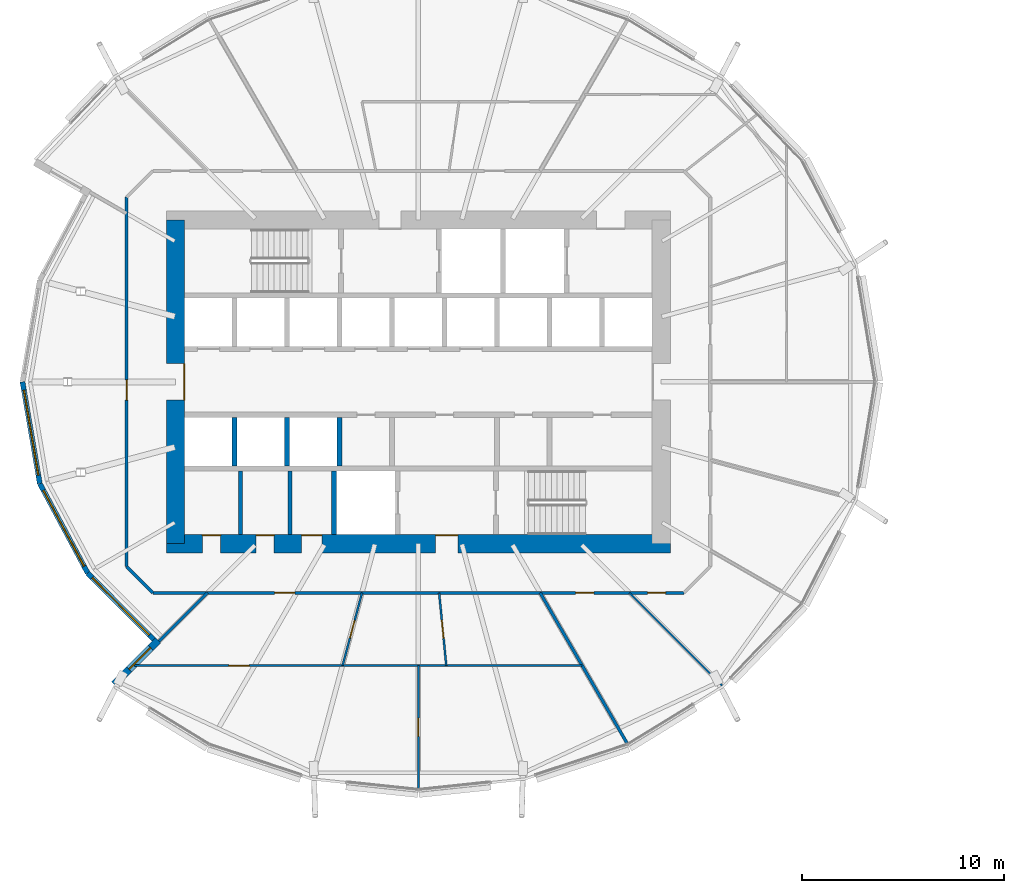
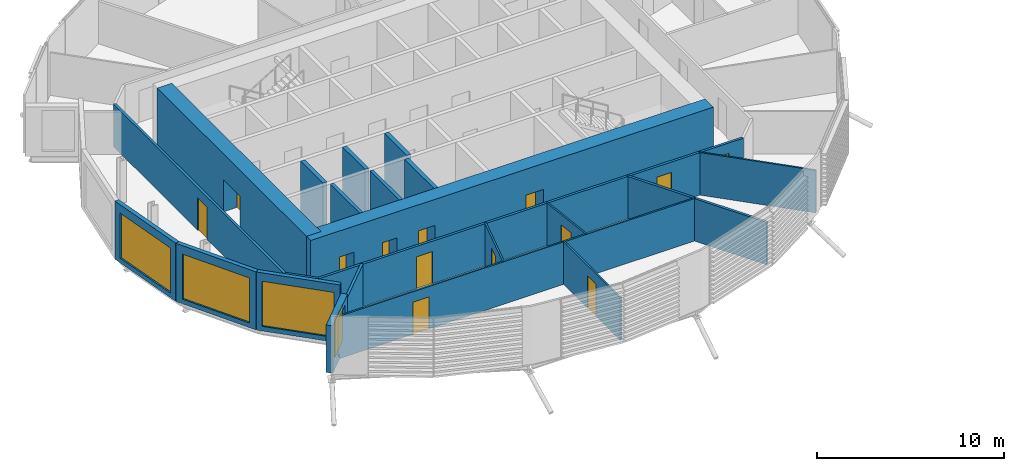
# One storey, part 20 of 37: 23 walls, 13 doors, 4 windows, 17 openings.
"""IFC4 building model written with IfcOpenShell, lengths in metres."""

from ifc_helpers import new_model, si_unit, direction, frame, frame_2d, origin, place, context, subcontext, project, spatial, rectangle, extrude, material, layer, layer_set, type_object, element, fill, save


model = new_model("IFC4")

# Units and contexts
model_context = context("Model", 3, precision=1e-05, world=origin(), true_north=direction((0.0, 1.0)))
body_context = subcontext(model_context, "Body", "Model", "MODEL_VIEW")
ifc_project = project(units=[si_unit("LENGTHUNIT", "METRE"), si_unit("AREAUNIT", "SQUARE_METRE"), si_unit("VOLUMEUNIT", "CUBIC_METRE"), si_unit("PLANEANGLEUNIT", "RADIAN"), si_unit("MASSUNIT", "GRAM", prefix="KILO")], contexts=[model_context])

# Site, building, storey
site_placement = place(None, origin())
site = spatial("IfcSite", under=ifc_project, at=site_placement, CompositionType="ELEMENT")
building_placement = place(site_placement, origin())
building = spatial("IfcBuilding", under=site, at=building_placement, Name="Rimbun Link Towers", CompositionType="ELEMENT")
storey_placement = place(building_placement, frame((0.0, 0.0, 45.199951171875)))
storey = spatial("IfcBuildingStorey", under=building, at=storey_placement, Name="L10", CompositionType="ELEMENT", Elevation=45.199951171875)

# Wall, opening, window
ifc_material_1 = material(Name="Dark enamelled glass spandrel on insulated aluminium backpan", Category="aluminium")
ifc_layer_1 = layer(ifc_material_1, 0.25)
ifc_layer_set_1 = layer_set([ifc_layer_1], Name="CS dark enamelled spandrel wall 250")
wall_type_1 = type_object("IfcWallType", Name="CS dark enamelled spandrel wall 250", PredefinedType="STANDARD", material=ifc_layer_set_1)
wall_1_placement = place(storey_placement, frame((-50.4658203125, -5.023681640625, 0.0), z_axis=(0.0, 0.0, 1.0), x_axis=(-0.167358464332, 0.985896112385, 0.0)))
wall_1 = element("IfcWall", 1, at=wall_1_placement, inside=storey, type_object=wall_type_1, Name="Crease spandrel wall", PredefinedType="STANDARD", context=body_context, shape_type="SweptSolid", body=[
    extrude(rectangle(XDim=5.095458984375, YDim=0.25, at=frame_2d((2.5478515625, 0.0))), origin(), (0.0, 0.0, 1.0), 3.800048828125),
])
opening_1_placement = place(wall_1_placement, frame((0.4228515625, 0.0, 0.300048828125)))
opening_1 = element("IfcOpeningElement", 2, at=opening_1_placement, cuts=wall_1, Name="Opening WR42H295", PredefinedType="OPENING", context=body_context, shape_type="SweptSolid", body=[
    extrude(rectangle(XDim=4.25, YDim=2.949951171875, at=frame_2d((2.125, 1.47509765625))), frame((0.0, 0.135009765625, 0.0), z_axis=(0.0, -1.0, 0.0), x_axis=(1.0, 0.0, 0.0)), (0.0, 0.0, 1.0), 0.27001953125),
])
ifc_material_2 = material(Name="Aluminium framed fixed window, dark tinted low-e glass", Category="aluminium")
window_type_1 = type_object("IfcWindowType", Name="WR ribbon window 4250X2950", PartitioningType="SINGLE_PANEL", PredefinedType="WINDOW", material=ifc_material_2)
window_1_placement = place(opening_1_placement, origin())
window_1 = element("IfcWindow", 3, at=window_1_placement, inside=storey, type_object=window_type_1, Name="Crease ribbon window", OverallHeight=2.949951171875, OverallWidth=4.25, PartitioningType="SINGLE_PANEL", PredefinedType="WINDOW", context=body_context, shape_type="SweptSolid", body=[
    extrude(rectangle(XDim=4.25, YDim=2.949951171875, at=frame_2d((2.125, 1.47509765625))), frame((0.0, 0.030029296875, 0.0), z_axis=(0.0, -1.0, 0.0), x_axis=(1.0, 0.0, 0.0)), (0.0, 0.0, 1.0), 0.06005859375),
])
fill(opening_1, window_1)

wall_2_placement = place(storey_placement, frame((-48.095947265625, -9.453857421875, 0.0), z_axis=(0.0, 0.0, 1.0), x_axis=(-0.47169003293, 0.8817644316, 0.0)))
wall_2 = element("IfcWall", 4, at=wall_2_placement, inside=storey, type_object=wall_type_1, Name="Crease spandrel wall", PredefinedType="STANDARD", context=body_context, shape_type="SweptSolid", body=[
    extrude(rectangle(XDim=5.024169921875, YDim=0.25, at=frame_2d((2.51220703125, 0.0))), origin(), (0.0, 0.0, 1.0), 3.800048828125),
])
opening_2_placement = place(wall_2_placement, frame((0.386962890625, 0.0, 0.300048828125)))
opening_2 = element("IfcOpeningElement", 5, at=opening_2_placement, cuts=wall_2, Name="Opening WR42H295", PredefinedType="OPENING", context=body_context, shape_type="SweptSolid", body=[
    extrude(rectangle(XDim=4.25, YDim=2.949951171875, at=frame_2d((2.125, 1.47509765625))), frame((0.0, 0.135009765625, 0.0), z_axis=(0.0, -1.0, 0.0), x_axis=(1.0, 0.0, 0.0)), (0.0, 0.0, 1.0), 0.27001953125),
])
window_2_placement = place(opening_2_placement, origin())
window_2 = element("IfcWindow", 6, at=window_2_placement, inside=storey, type_object=window_type_1, Name="Crease ribbon window", OverallHeight=2.949951171875, OverallWidth=4.25, PartitioningType="SINGLE_PANEL", PredefinedType="WINDOW", context=body_context, shape_type="SweptSolid", body=[
    extrude(rectangle(XDim=4.25, YDim=2.949951171875, at=frame_2d((2.125, 1.47509765625))), frame((0.0, 0.030029296875, 0.0), z_axis=(0.0, -1.0, 0.0), x_axis=(1.0, 0.0, 0.0)), (0.0, 0.0, 1.0), 0.06005859375),
])
fill(opening_2, window_2)

wall_3_placement = place(storey_placement, frame((-44.8359375, -12.732421875, 0.0), z_axis=(0.0, 0.0, 1.0), x_axis=(-0.70509736634, 0.709110501953, 0.0)))
wall_3 = element("IfcWall", 7, at=wall_3_placement, inside=storey, type_object=wall_type_1, Name="Crease spandrel wall", PredefinedType="STANDARD", context=body_context, shape_type="SweptSolid", body=[
    extrude(rectangle(XDim=4.62353515625, YDim=0.25, at=frame_2d((2.311767578125, 0.0))), origin(), (0.0, 0.0, 1.0), 3.800048828125),
])
opening_3_placement = place(wall_3_placement, frame((0.311767578125, 0.0, 0.300048828125)))
opening_3 = element("IfcOpeningElement", 8, at=opening_3_placement, cuts=wall_3, Name="Opening WR40H295", PredefinedType="OPENING", context=body_context, shape_type="SweptSolid", body=[
    extrude(rectangle(XDim=4.0, YDim=2.949951171875, at=frame_2d((2.0, 1.47509765625))), frame((0.0, 0.135009765625, 0.0), z_axis=(0.0, -1.0, 0.0), x_axis=(1.0, 0.0, 0.0)), (0.0, 0.0, 1.0), 0.27001953125),
])
ifc_material_3 = material(Name="Aluminium framed fixed window, dark tinted low-e glass", Category="aluminium")
window_type_2 = type_object("IfcWindowType", Name="WR ribbon window 4000X2950", PartitioningType="SINGLE_PANEL", PredefinedType="WINDOW", material=ifc_material_3)
window_3_placement = place(opening_3_placement, origin())
window_3 = element("IfcWindow", 9, at=window_3_placement, inside=storey, type_object=window_type_2, Name="Crease ribbon window", OverallHeight=2.949951171875, OverallWidth=4.0, PartitioningType="SINGLE_PANEL", PredefinedType="WINDOW", context=body_context, shape_type="SweptSolid", body=[
    extrude(rectangle(XDim=4.0, YDim=2.949951171875, at=frame_2d((2.0, 1.47509765625))), frame((0.0, 0.030029296875, 0.0), z_axis=(0.0, -1.0, 0.0), x_axis=(1.0, 0.0, 0.0)), (0.0, 0.0, 1.0), 0.06005859375),
])
fill(opening_3, window_3)

ifc_material_4 = material(Name="Dark enamelled glass spandrel on insulated aluminium backpan", Category="aluminium")
ifc_layer_2 = layer(ifc_material_4, 0.3701171875)
ifc_layer_set_2 = layer_set([ifc_layer_2], Name="CS dark enamelled spandrel wall 370")
wall_type_2 = type_object("IfcWallType", Name="CS dark enamelled spandrel wall 370", PredefinedType="STANDARD", material=ifc_layer_set_2)
wall_4_placement = place(storey_placement, frame((-46.794921875, -14.953125, 0.0), z_axis=(0.0, 0.0, 1.0), x_axis=(0.707067146267, 0.707146413884, 0.0)))
wall_4 = element("IfcWall", 10, at=wall_4_placement, inside=storey, type_object=wall_type_2, Name="Crease spandrel wall", PredefinedType="STANDARD", context=body_context, shape_type="SweptSolid", body=[
    extrude(rectangle(XDim=3.079833984375, YDim=0.3701171875, at=frame_2d((1.5400390625, 0.0))), origin(), (0.0, 0.0, 1.0), 3.09716796875),
])
opening_4_placement = place(wall_4_placement, frame((1.051513671875, 0.0, 0.300048828125)))
opening_4 = element("IfcOpeningElement", 11, at=opening_4_placement, cuts=wall_4, Name="Opening WR15H245", PredefinedType="OPENING", context=body_context, shape_type="SweptSolid", body=[
    extrude(rectangle(XDim=1.5, YDim=2.449951171875, at=frame_2d((0.75, 1.22509765625))), frame((0.0, 0.195068359375, 0.0), z_axis=(0.0, -1.0, 0.0), x_axis=(1.0, 0.0, 0.0)), (0.0, 0.0, 1.0), 0.39013671875),
])
ifc_material_5 = material(Name="Aluminium framed fixed window, dark tinted low-e glass", Category="aluminium")
window_type_3 = type_object("IfcWindowType", Name="WR ribbon window 1500X2450", PartitioningType="SINGLE_PANEL", PredefinedType="WINDOW", material=ifc_material_5)
window_4_placement = place(opening_4_placement, origin())
window_4 = element("IfcWindow", 12, at=window_4_placement, inside=storey, type_object=window_type_3, Name="Crease ribbon window", OverallHeight=2.449951171875, OverallWidth=1.5, PartitioningType="SINGLE_PANEL", PredefinedType="WINDOW", context=body_context, shape_type="SweptSolid", body=[
    extrude(rectangle(XDim=1.5, YDim=2.449951171875, at=frame_2d((0.75, 1.22509765625))), frame((0.0, 0.030029296875, 0.0), z_axis=(0.0, -1.0, 0.0), x_axis=(1.0, 0.0, 0.0)), (0.0, 0.0, 1.0), 0.06005859375),
])
fill(opening_4, window_4)

# Walls
ifc_material_6 = material(Name="Masonry blockwork", Category="masonry")
ifc_layer_3 = layer(ifc_material_6, 0.199951171875)
ifc_layer_set_3 = layer_set([ifc_layer_3], Name="Core partition 200")
wall_type_3 = type_object("IfcWallType", Name="Core partition 200", PredefinedType="PARTITIONING", material=ifc_layer_set_3)
for number, where, z_axis, x_axis, name in (
    (13, (-40.550048828125, -4.39990234375, 0.0), (0.0, 0.0, 1.0), (0.0, -1.0, 0.0), "L10 T1 core wall C1"),
    (14, (-38.10009765625, -4.39990234375, 0.0), (0.0, 0.0, 1.0), (0.0, -1.0, 0.0), "L10 T1 core wall C2"),
):
    element("IfcWall", number, at=place(storey_placement, frame(where, z_axis=z_axis, x_axis=x_axis)), inside=storey, type_object=wall_type_3, Name=name, PredefinedType="PARTITIONING", context=body_context, shape_type="SweptSolid", body=[
        extrude(rectangle(XDim=3.150146484375, YDim=0.199951171875, at=frame_2d((1.5751953125, 0.0))), origin(), (0.0, 0.0, 1.0), 3.800048828125),
    ])

# Wall, openings, doors
ifc_material_7 = material(Name="Concrete C60/75", Category="concrete")
ifc_layer_4 = layer(ifc_material_7, 0.89990234375)
ifc_layer_set_4 = layer_set([ifc_layer_4], Name="Core shear wall 900")
wall_type_4 = type_object("IfcWallType", Name="Core shear wall 900", PredefinedType="SHEAR", material=ifc_layer_set_4)
wall_5_placement = place(storey_placement, frame((-44.199951171875, -8.0, 0.0), z_axis=(0.0, 0.0, 1.0), x_axis=(1.0, 0.0, 0.0)))
wall_5 = element("IfcWall", 15, at=wall_5_placement, inside=storey, type_object=wall_type_4, Name="L10 T1 core wall S", PredefinedType="SHEAR", context=body_context, shape_type="SweptSolid", body=[
    extrude(rectangle(XDim=24.89990234375, YDim=0.89990234375, at=frame_2d((12.449951171875, 0.0))), origin(), (0.0, 0.0, 1.0), 3.800048828125),
])
opening_5_placement = place(wall_5_placement, frame((13.300048828125, 0.0, 0.0)))
opening_5 = element("IfcOpeningElement", 16, at=opening_5_placement, cuts=wall_5, Name="Opening C1DCF01S", PredefinedType="OPENING", context=body_context, shape_type="SweptSolid", body=[
    extrude(rectangle(XDim=1.10009765625, YDim=2.10009765625, at=frame_2d((0.550048828125, 1.050048828125))), frame((0.0, 0.4599609375, 0.0), z_axis=(0.0, -1.0, 0.0), x_axis=(1.0, 0.0, 0.0)), (0.0, 0.0, 1.0), 0.919921875),
])
opening_6_placement = place(wall_5_placement, frame((1.77490234375, 0.0, 0.0)))
opening_6 = element("IfcOpeningElement", 17, at=opening_6_placement, cuts=wall_5, Name="Opening C1DWC02S", PredefinedType="OPENING", context=body_context, shape_type="SweptSolid", body=[
    extrude(rectangle(XDim=0.89990234375, YDim=2.10009765625, at=frame_2d((0.449951171875, 1.050048828125))), frame((0.0, 0.4599609375, 0.0), z_axis=(0.0, -1.0, 0.0), x_axis=(1.0, 0.0, 0.0)), (0.0, 0.0, 1.0), 0.919921875),
])
opening_7_placement = place(wall_5_placement, frame((4.425048828125, 0.0, 0.0)))
opening_7 = element("IfcOpeningElement", 18, at=opening_7_placement, cuts=wall_5, Name="Opening C1DWC03S", PredefinedType="OPENING", context=body_context, shape_type="SweptSolid", body=[
    extrude(rectangle(XDim=0.89990234375, YDim=2.10009765625, at=frame_2d((0.449951171875, 1.050048828125))), frame((0.0, 0.4599609375, 0.0), z_axis=(0.0, -1.0, 0.0), x_axis=(1.0, 0.0, 0.0)), (0.0, 0.0, 1.0), 0.919921875),
])
opening_8_placement = place(wall_5_placement, frame((6.675048828125, 0.0, 0.0)))
opening_8 = element("IfcOpeningElement", 19, at=opening_8_placement, cuts=wall_5, Name="Opening C1DAW04S", PredefinedType="OPENING", context=body_context, shape_type="SweptSolid", body=[
    extrude(rectangle(XDim=1.0, YDim=2.10009765625, at=frame_2d((0.5, 1.050048828125))), frame((0.0, 0.4599609375, 0.0), z_axis=(0.0, -1.0, 0.0), x_axis=(1.0, 0.0, 0.0)), (0.0, 0.0, 1.0), 0.919921875),
])
ifc_material_8 = material(Name="Timber", Category="wood")
door_type_1 = type_object("IfcDoorType", Name="Accessible WC door", OperationType="SINGLE_SWING_LEFT", PredefinedType="DOOR", material=ifc_material_8)
door_1_placement = place(opening_8_placement, origin())
door_1 = element("IfcDoor", 20, at=door_1_placement, inside=storey, type_object=door_type_1, Name="L10 T1 accessible wc door", OperationType="SINGLE_SWING_RIGHT", OverallHeight=2.10009765625, OverallWidth=1.0, PredefinedType="DOOR", context=body_context, shape_type="SweptSolid", body=[
    extrude(rectangle(XDim=1.0, YDim=2.10009765625, at=frame_2d((0.5, 1.050048828125))), frame((0.0, 0.4501953125, 0.0), z_axis=(0.0, -1.0, 0.0), x_axis=(1.0, 0.0, 0.0)), (0.0, 0.0, 1.0), 0.050048828125),
])
fill(opening_8, door_1)
ifc_material_9 = material(Name="Steel fire door set", Category="steel")
door_type_2 = type_object("IfcDoorType", Name="Core fire door single", OperationType="SINGLE_SWING_LEFT", PredefinedType="DOOR", material=ifc_material_9)
door_2_placement = place(opening_5_placement, origin())
door_2 = element("IfcDoor", 21, at=door_2_placement, inside=storey, type_object=door_type_2, Name="L10 T1 firefighting lobby s door", OperationType="SINGLE_SWING_RIGHT", OverallHeight=2.10009765625, OverallWidth=1.10009765625, PredefinedType="DOOR", context=body_context, shape_type="SweptSolid", body=[
    extrude(rectangle(XDim=1.10009765625, YDim=2.10009765625, at=frame_2d((0.550048828125, 1.050048828125))), frame((0.0, 0.4501953125, 0.0), z_axis=(0.0, -1.0, 0.0), x_axis=(1.0, 0.0, 0.0)), (0.0, 0.0, 1.0), 0.050048828125),
])
fill(opening_5, door_2)
ifc_material_10 = material(Name="Timber", Category="wood")
door_type_3 = type_object("IfcDoorType", Name="WC door", OperationType="SINGLE_SWING_LEFT", PredefinedType="DOOR", material=ifc_material_10)
door_3_placement = place(opening_6_placement, origin())
door_3 = element("IfcDoor", 22, at=door_3_placement, inside=storey, type_object=door_type_3, Name="L10 T1 male wc door", OperationType="SINGLE_SWING_RIGHT", OverallHeight=2.10009765625, OverallWidth=0.89990234375, PredefinedType="DOOR", context=body_context, shape_type="SweptSolid", body=[
    extrude(rectangle(XDim=0.89990234375, YDim=2.10009765625, at=frame_2d((0.449951171875, 1.050048828125))), frame((0.0, 0.4501953125, 0.0), z_axis=(0.0, -1.0, 0.0), x_axis=(1.0, 0.0, 0.0)), (0.0, 0.0, 1.0), 0.050048828125),
])
fill(opening_6, door_3)
door_4_placement = place(opening_7_placement, origin())
door_4 = element("IfcDoor", 23, at=door_4_placement, inside=storey, type_object=door_type_3, Name="L10 T1 female wc door", OperationType="SINGLE_SWING_RIGHT", OverallHeight=2.10009765625, OverallWidth=0.89990234375, PredefinedType="DOOR", context=body_context, shape_type="SweptSolid", body=[
    extrude(rectangle(XDim=0.89990234375, YDim=2.10009765625, at=frame_2d((0.449951171875, 1.050048828125))), frame((0.0, 0.4501953125, 0.0), z_axis=(0.0, -1.0, 0.0), x_axis=(1.0, 0.0, 0.0)), (0.0, 0.0, 1.0), 0.050048828125),
])
fill(opening_7, door_4)

# Wall, opening, door
wall_6_placement = place(storey_placement, frame((-43.75, -8.0, 0.0), z_axis=(0.0, 0.0, 1.0), x_axis=(0.0, 1.0, 0.0)))
wall_6 = element("IfcWall", 24, at=wall_6_placement, inside=storey, type_object=wall_type_4, Name="L10 T1 core wall W", PredefinedType="SHEAR", context=body_context, shape_type="SweptSolid", body=[
    extrude(rectangle(XDim=16.0, YDim=0.89990234375, at=frame_2d((8.0, 0.0))), origin(), (0.0, 0.0, 1.0), 3.800048828125),
])
opening_9_placement = place(wall_6_placement, frame((7.10009765625, 0.0, 0.0)))
opening_9 = element("IfcOpeningElement", 25, at=opening_9_placement, cuts=wall_6, Name="Opening C1DCL01W", PredefinedType="OPENING", context=body_context, shape_type="SweptSolid", body=[
    extrude(rectangle(XDim=1.800048828125, YDim=2.10009765625, at=frame_2d((0.89990234375, 1.050048828125))), frame((0.0, 0.4599609375, 0.0), z_axis=(0.0, -1.0, 0.0), x_axis=(1.0, 0.0, 0.0)), (0.0, 0.0, 1.0), 0.919921875),
])
ifc_material_11 = material(Name="Steel fire door set", Category="steel")
door_type_4 = type_object("IfcDoorType", Name="Core lobby door double", OperationType="DOUBLE_DOOR_SINGLE_SWING", PredefinedType="DOOR", material=ifc_material_11)
door_5_placement = place(opening_9_placement, origin())
door_5 = element("IfcDoor", 26, at=door_5_placement, inside=storey, type_object=door_type_4, Name="L10 T1 lift lobby door", OperationType="DOUBLE_DOOR_SINGLE_SWING", OverallHeight=2.10009765625, OverallWidth=1.800048828125, PredefinedType="DOOR", context=body_context, shape_type="SweptSolid", body=[
    extrude(rectangle(XDim=1.800048828125, YDim=2.10009765625, at=frame_2d((0.89990234375, 1.050048828125))), frame((0.0, -0.39990234375, 0.0), z_axis=(0.0, -1.0, 0.0), x_axis=(1.0, 0.0, 0.0)), (0.0, 0.0, 1.0), 0.050048828125),
])
fill(opening_9, door_5)

# Wall, openings, doors
ifc_material_12 = material(Name="Plasterboard on steel stud, mineral wool", Category="steel")
ifc_layer_5 = layer(ifc_material_12, 0.14990234375)
ifc_layer_set_5 = layer_set([ifc_layer_5], Name="Corridor wall EI 30 150 mm")
wall_type_5 = type_object("IfcWallType", Name="Corridor wall EI 30 150 mm", PredefinedType="PARTITIONING", material=ifc_layer_set_5)
wall_7_placement = place(storey_placement, frame((-18.623291015625, -10.425048828125, 0.0), z_axis=(0.0, 0.0, 1.0), x_axis=(-1.0, 0.0, 0.0)))
wall_7 = element("IfcWall", 27, at=wall_7_placement, inside=storey, type_object=wall_type_5, Name="Corridor wall EI 30 150 mm", PredefinedType="PARTITIONING", context=body_context, shape_type="SweptSolid", body=[
    extrude(rectangle(XDim=26.25341796875, YDim=0.14990234375, at=frame_2d((13.126708984375, 0.0))), origin(), (0.0, 0.0, 1.0), 2.779052734375),
])
opening_10_placement = place(wall_7_placement, frame((19.231689453125, 0.0, 0.0)))
opening_10 = element("IfcOpeningElement", 28, at=opening_10_placement, cuts=wall_7, Name="Opening D01", PredefinedType="OPENING", context=body_context, shape_type="SweptSolid", body=[
    extrude(rectangle(XDim=1.0, YDim=2.10009765625, at=frame_2d((0.5, 1.050048828125))), frame((0.0, 0.0849609375, 0.0), z_axis=(0.0, -1.0, 0.0), x_axis=(1.0, 0.0, 0.0)), (0.0, 0.0, 1.0), 0.169921875),
])
opening_11_placement = place(wall_7_placement, frame((4.454833984375, 0.0, 0.0)))
opening_11 = element("IfcOpeningElement", 29, at=opening_11_placement, cuts=wall_7, Name="Opening D02", PredefinedType="OPENING", context=body_context, shape_type="SweptSolid", body=[
    extrude(rectangle(XDim=0.89990234375, YDim=2.10009765625, at=frame_2d((0.449951171875, 1.050048828125))), frame((0.0, 0.0849609375, 0.0), z_axis=(0.0, -1.0, 0.0), x_axis=(1.0, 0.0, 0.0)), (0.0, 0.0, 1.0), 0.169921875),
])
opening_12_placement = place(wall_7_placement, frame((0.90087890625, 0.0, 0.0)))
opening_12 = element("IfcOpeningElement", 30, at=opening_12_placement, cuts=wall_7, Name="Opening D02", PredefinedType="OPENING", context=body_context, shape_type="SweptSolid", body=[
    extrude(rectangle(XDim=0.89990234375, YDim=2.10009765625, at=frame_2d((0.449951171875, 1.050048828125))), frame((0.0, 0.0849609375, 0.0), z_axis=(0.0, -1.0, 0.0), x_axis=(1.0, 0.0, 0.0)), (0.0, 0.0, 1.0), 0.169921875),
])
ifc_material_13 = material(Name="Fire-resisting timber door leaf", Category="wood")
door_type_5 = type_object("IfcDoorType", Name="Fire door FD30S 1000", OperationType="NOTDEFINED", PredefinedType="DOOR", material=ifc_material_13)
door_6_placement = place(opening_10_placement, origin())
door_6 = element("IfcDoor", 31, at=door_6_placement, inside=storey, type_object=door_type_5, Name="Fire door FD30S 1000 to Reception", OperationType="SINGLE_SWING_LEFT", OverallHeight=2.10009765625, OverallWidth=1.0, PredefinedType="DOOR", context=body_context, shape_type="SweptSolid", body=[
    extrude(rectangle(XDim=1.0, YDim=2.10009765625, at=frame_2d((0.5, 1.050048828125))), frame((0.0, 0.02490234375, 0.0), z_axis=(0.0, -1.0, 0.0), x_axis=(1.0, 0.0, 0.0)), (0.0, 0.0, 1.0), 0.050048828125),
])
fill(opening_10, door_6)
ifc_material_14 = material(Name="Fire-resisting timber door leaf", Category="wood")
door_type_6 = type_object("IfcDoorType", Name="Fire door FD30S 900", OperationType="NOTDEFINED", PredefinedType="DOOR", material=ifc_material_14)
door_7_placement = place(opening_11_placement, origin())
door_7 = element("IfcDoor", 32, at=door_7_placement, inside=storey, type_object=door_type_6, Name="Fire door FD30S 900 to Cellular office", OperationType="SINGLE_SWING_RIGHT", OverallHeight=2.10009765625, OverallWidth=0.89990234375, PredefinedType="DOOR", context=body_context, shape_type="SweptSolid", body=[
    extrude(rectangle(XDim=0.89990234375, YDim=2.10009765625, at=frame_2d((0.449951171875, 1.050048828125))), frame((0.0, 0.02490234375, 0.0), z_axis=(0.0, -1.0, 0.0), x_axis=(1.0, 0.0, 0.0)), (0.0, 0.0, 1.0), 0.050048828125),
])
fill(opening_11, door_7)
door_8_placement = place(opening_12_placement, origin())
door_8 = element("IfcDoor", 33, at=door_8_placement, inside=storey, type_object=door_type_6, Name="Fire door FD30S 900 to Cellular office", OperationType="SINGLE_SWING_LEFT", OverallHeight=2.10009765625, OverallWidth=0.89990234375, PredefinedType="DOOR", context=body_context, shape_type="SweptSolid", body=[
    extrude(rectangle(XDim=0.89990234375, YDim=2.10009765625, at=frame_2d((0.449951171875, 1.050048828125))), frame((0.0, 0.02490234375, 0.0), z_axis=(0.0, -1.0, 0.0), x_axis=(1.0, 0.0, 0.0)), (0.0, 0.0, 1.0), 0.050048828125),
])
fill(opening_12, door_8)

# Wall
wall_8_placement = place(storey_placement, frame((-46.175048828125, -9.126708984375, 0.0), z_axis=(0.0, 0.0, 1.0), x_axis=(0.707106781187, -0.707106781187, 0.0)))
element("IfcWall", 34, at=wall_8_placement, inside=storey, type_object=wall_type_5, Name="Corridor wall EI 30 150 mm", PredefinedType="PARTITIONING", context=body_context, shape_type="SweptSolid", body=[
    extrude(rectangle(XDim=1.836181640625, YDim=0.14990234375, at=frame_2d((0.91796875, 0.0))), origin(), (0.0, 0.0, 1.0), 2.779052734375),
])

# Wall, opening, door
wall_9_placement = place(storey_placement, frame((-46.175048828125, -9.126708984375, 0.0), z_axis=(0.0, 0.0, 1.0), x_axis=(0.0, 1.0, 0.0)))
wall_9 = element("IfcWall", 35, at=wall_9_placement, inside=storey, type_object=wall_type_5, Name="Corridor wall EI 30 150 mm", PredefinedType="PARTITIONING", context=body_context, shape_type="SweptSolid", body=[
    extrude(rectangle(XDim=18.25341796875, YDim=0.14990234375, at=frame_2d((9.126708984375, 0.0))), origin(), (0.0, 0.0, 1.0), 2.779052734375),
])
opening_13_placement = place(wall_9_placement, frame((8.2275390625, 0.0, 0.0)))
opening_13 = element("IfcOpeningElement", 36, at=opening_13_placement, cuts=wall_9, Name="Opening D01", PredefinedType="OPENING", context=body_context, shape_type="SweptSolid", body=[
    extrude(rectangle(XDim=1.0, YDim=2.10009765625, at=frame_2d((0.5, 1.050048828125))), frame((0.0, 0.0849609375, 0.0), z_axis=(0.0, -1.0, 0.0), x_axis=(1.0, 0.0, 0.0)), (0.0, 0.0, 1.0), 0.169921875),
])
door_9_placement = place(opening_13_placement, origin())
door_9 = element("IfcDoor", 37, at=door_9_placement, inside=storey, type_object=door_type_5, Name="Fire door FD30S 1000 to Terrace office", OperationType="SINGLE_SWING_RIGHT", OverallHeight=2.10009765625, OverallWidth=1.0, PredefinedType="DOOR", context=body_context, shape_type="SweptSolid", body=[
    extrude(rectangle(XDim=1.0, YDim=2.10009765625, at=frame_2d((0.5, 1.050048828125))), frame((0.0, 0.02490234375, 0.0), z_axis=(0.0, -1.0, 0.0), x_axis=(1.0, 0.0, 0.0)), (0.0, 0.0, 1.0), 0.050048828125),
])
fill(opening_13, door_9)

ifc_material_15 = material(Name="Plasterboard on steel stud", Category="steel")
ifc_layer_6 = layer(ifc_material_15, 0.10009765625)
ifc_layer_set_6 = layer_set([ifc_layer_6], Name="Plasterboard partition 100 mm")
wall_type_6 = type_object("IfcWallType", Name="Plasterboard partition 100 mm", PredefinedType="PARTITIONING", material=ifc_layer_set_6)
wall_10_placement = place(storey_placement, frame((-34.53515625, -10.425048828125, 0.0), z_axis=(0.0, 0.0, 1.0), x_axis=(-0.258090828654, -0.966120657146, 0.0)))
wall_10 = element("IfcWall", 38, at=wall_10_placement, inside=storey, type_object=wall_type_6, Name="Plasterboard partition 100 mm", PredefinedType="PARTITIONING", context=body_context, shape_type="SweptSolid", body=[
    extrude(rectangle(XDim=3.72607421875, YDim=0.10009765625, at=frame_2d((1.863037109375, 0.0))), origin(), (0.0, 0.0, 1.0), 2.779052734375),
])
opening_14_placement = place(wall_10_placement, frame((1.4130859375, 0.0, 0.0)))
opening_14 = element("IfcOpeningElement", 39, at=opening_14_placement, cuts=wall_10, Name="Opening D04", PredefinedType="OPENING", context=body_context, shape_type="SweptSolid", body=[
    extrude(rectangle(XDim=0.89990234375, YDim=2.10009765625, at=frame_2d((0.449951171875, 1.050048828125))), frame((0.0, 0.06005859375, 0.0), z_axis=(0.0, -1.0, 0.0), x_axis=(1.0, 0.0, 0.0)), (0.0, 0.0, 1.0), 0.1201171875),
])
ifc_material_16 = material(Name="Timber door leaf", Category="wood")
door_type_7 = type_object("IfcDoorType", Name="Flush door 900", OperationType="NOTDEFINED", PredefinedType="DOOR", material=ifc_material_16)
door_10_placement = place(opening_14_placement, origin())
door_10 = element("IfcDoor", 40, at=door_10_placement, inside=storey, type_object=door_type_7, Name="Flush door 900 to Meeting room", OperationType="SINGLE_SWING_LEFT", OverallHeight=2.10009765625, OverallWidth=0.89990234375, PredefinedType="DOOR", context=body_context, shape_type="SweptSolid", body=[
    extrude(rectangle(XDim=0.89990234375, YDim=2.10009765625, at=frame_2d((0.449951171875, 1.050048828125))), frame((0.0, 0.02490234375, 0.0), z_axis=(0.0, -1.0, 0.0), x_axis=(1.0, 0.0, 0.0)), (0.0, 0.0, 1.0), 0.050048828125),
])
fill(opening_14, door_10)

wall_11_placement = place(storey_placement, frame((-31.75, -14.02490234375, 0.0), z_axis=(0.0, 0.0, 1.0), x_axis=(-1.0, 0.0, 0.0)))
wall_11 = element("IfcWall", 41, at=wall_11_placement, inside=storey, type_object=wall_type_6, Name="Plasterboard partition 100 mm", PredefinedType="PARTITIONING", context=body_context, shape_type="SweptSolid", body=[
    extrude(rectangle(XDim=14.02490234375, YDim=0.10009765625, at=frame_2d((7.012451171875, 0.0))), origin(), (0.0, 0.0, 1.0), 2.779052734375),
])
opening_15_placement = place(wall_11_placement, frame((8.370361328125, 0.0, 0.0)))
opening_15 = element("IfcOpeningElement", 42, at=opening_15_placement, cuts=wall_11, Name="Opening D03", PredefinedType="OPENING", context=body_context, shape_type="SweptSolid", body=[
    extrude(rectangle(XDim=1.0, YDim=2.10009765625, at=frame_2d((0.5, 1.050048828125))), frame((0.0, 0.06005859375, 0.0), z_axis=(0.0, -1.0, 0.0), x_axis=(1.0, 0.0, 0.0)), (0.0, 0.0, 1.0), 0.1201171875),
])
ifc_material_17 = material(Name="Timber door leaf", Category="wood")
door_type_8 = type_object("IfcDoorType", Name="Flush door 1000", OperationType="NOTDEFINED", PredefinedType="DOOR", material=ifc_material_17)
door_11_placement = place(opening_15_placement, origin())
door_11 = element("IfcDoor", 43, at=door_11_placement, inside=storey, type_object=door_type_8, Name="Flush door 1000 to Co-working space", OperationType="SINGLE_SWING_RIGHT", OverallHeight=2.10009765625, OverallWidth=1.0, PredefinedType="DOOR", context=body_context, shape_type="SweptSolid", body=[
    extrude(rectangle(XDim=1.0, YDim=2.10009765625, at=frame_2d((0.5, 1.050048828125))), frame((0.0, 0.02490234375, 0.0), z_axis=(0.0, -1.0, 0.0), x_axis=(1.0, 0.0, 0.0)), (0.0, 0.0, 1.0), 0.050048828125),
])
fill(opening_15, door_11)

wall_12_placement = place(storey_placement, frame((-30.7255859375, -10.425048828125, 0.0), z_axis=(0.0, 0.0, 1.0), x_axis=(0.097866352751, -0.995199566418, 0.0)))
wall_12 = element("IfcWall", 44, at=wall_12_placement, inside=storey, type_object=wall_type_6, Name="Plasterboard partition 100 mm", PredefinedType="PARTITIONING", context=body_context, shape_type="SweptSolid", body=[
    extrude(rectangle(XDim=3.6171875, YDim=0.10009765625, at=frame_2d((1.80859375, 0.0))), origin(), (0.0, 0.0, 1.0), 2.779052734375),
])
opening_16_placement = place(wall_12_placement, frame((1.358642578125, 0.0, 0.0)))
opening_16 = element("IfcOpeningElement", 45, at=opening_16_placement, cuts=wall_12, Name="Opening D04", PredefinedType="OPENING", context=body_context, shape_type="SweptSolid", body=[
    extrude(rectangle(XDim=0.89990234375, YDim=2.10009765625, at=frame_2d((0.449951171875, 1.050048828125))), frame((0.0, 0.06005859375, 0.0), z_axis=(0.0, -1.0, 0.0), x_axis=(1.0, 0.0, 0.0)), (0.0, 0.0, 1.0), 0.1201171875),
])
door_12_placement = place(opening_16_placement, origin())
door_12 = element("IfcDoor", 46, at=door_12_placement, inside=storey, type_object=door_type_7, Name="Flush door 900 to Pantry", OperationType="SINGLE_SWING_LEFT", OverallHeight=2.10009765625, OverallWidth=0.89990234375, PredefinedType="DOOR", context=body_context, shape_type="SweptSolid", body=[
    extrude(rectangle(XDim=0.89990234375, YDim=2.10009765625, at=frame_2d((0.449951171875, 1.050048828125))), frame((0.0, 0.02490234375, 0.0), z_axis=(0.0, -1.0, 0.0), x_axis=(1.0, 0.0, 0.0)), (0.0, 0.0, 1.0), 0.050048828125),
])
fill(opening_16, door_12)

# Wall
wall_13_placement = place(storey_placement, frame((-31.75, -14.02490234375, 0.0), z_axis=(0.0, 0.0, 1.0), x_axis=(1.0, 0.0, 0.0)))
element("IfcWall", 47, at=wall_13_placement, inside=storey, type_object=wall_type_6, Name="Plasterboard partition 100 mm", PredefinedType="PARTITIONING", context=body_context, shape_type="SweptSolid", body=[
    extrude(rectangle(XDim=8.097412109375, YDim=0.10009765625, at=frame_2d((4.048828125, 0.0))), origin(), (0.0, 0.0, 1.0), 2.779052734375),
])

# Wall, opening, door
wall_14_placement = place(storey_placement, frame((-31.75, -14.02490234375, 0.0), z_axis=(0.0, 0.0, 1.0), x_axis=(0.0, -1.0, 0.0)))
wall_14 = element("IfcWall", 48, at=wall_14_placement, inside=storey, type_object=wall_type_6, Name="Plasterboard partition 100 mm", PredefinedType="PARTITIONING", context=body_context, shape_type="SweptSolid", body=[
    extrude(rectangle(XDim=6.101806640625, YDim=0.10009765625, at=frame_2d((3.05078125, 0.0))), origin(), (0.0, 0.0, 1.0), 2.779052734375),
])
opening_17_placement = place(wall_14_placement, frame((2.600830078125, 0.0, 0.0)))
opening_17 = element("IfcOpeningElement", 49, at=opening_17_placement, cuts=wall_14, Name="Opening D04", PredefinedType="OPENING", context=body_context, shape_type="SweptSolid", body=[
    extrude(rectangle(XDim=0.89990234375, YDim=2.10009765625, at=frame_2d((0.449951171875, 1.050048828125))), frame((0.0, 0.06005859375, 0.0), z_axis=(0.0, -1.0, 0.0), x_axis=(1.0, 0.0, 0.0)), (0.0, 0.0, 1.0), 0.1201171875),
])
door_13_placement = place(opening_17_placement, origin())
door_13 = element("IfcDoor", 50, at=door_13_placement, inside=storey, type_object=door_type_7, Name="Flush door 900 to Serviced office", OperationType="SINGLE_SWING_LEFT", OverallHeight=2.10009765625, OverallWidth=0.89990234375, PredefinedType="DOOR", context=body_context, shape_type="SweptSolid", body=[
    extrude(rectangle(XDim=0.89990234375, YDim=2.10009765625, at=frame_2d((0.449951171875, 1.050048828125))), frame((0.0, 0.02490234375, 0.0), z_axis=(0.0, -1.0, 0.0), x_axis=(1.0, 0.0, 0.0)), (0.0, 0.0, 1.0), 0.050048828125),
])
fill(opening_17, door_13)

# Walls
wall_15_placement = place(storey_placement, frame((-16.73681640625, -15.01318359375, 0.0), z_axis=(0.0, 0.0, 1.0), x_axis=(-0.707106781187, 0.707106781187, 0.0)))
element("IfcWall", 51, at=wall_15_placement, inside=storey, type_object=wall_type_6, Name="Plasterboard partition 100 mm", PredefinedType="PARTITIONING", context=body_context, shape_type="SweptSolid", body=[
    extrude(rectangle(XDim=6.488525390625, YDim=0.10009765625, at=frame_2d((3.244140625, 0.0))), origin(), (0.0, 0.0, 1.0), 2.779052734375),
])
ifc_material_18 = material(Name="Concrete C60/75", Category="concrete")
ifc_layer_7 = layer(ifc_material_18, 0.25)
ifc_layer_set_7 = layer_set([ifc_layer_7], Name="Shaft wall 250")
wall_type_7 = type_object("IfcWallType", Name="Shaft wall 250", PredefinedType="SHEAR", material=ifc_layer_set_7)
for number, where, z_axis, x_axis, name in (
    (52, (-40.83056640625, -4.14990234375, 0.0), (0.0, 0.0, 1.0), (0.0, 1.0, 0.0), "L10 T1 core wall DS0"),
    (53, (-38.236083984375, -4.14990234375, 0.0), (0.0, 0.0, 1.0), (0.0, 1.0, 0.0), "L10 T1 core wall DS1"),
    (54, (-35.6416015625, -4.14990234375, 0.0), (0.0, 0.0, 1.0), (0.0, 1.0, 0.0), "L10 T1 core wall DS2"),
):
    element("IfcWall", number, at=place(storey_placement, frame(where, z_axis=z_axis, x_axis=x_axis)), inside=storey, type_object=wall_type_7, Name=name, PredefinedType="SHEAR", context=body_context, shape_type="SweptSolid", body=[
        extrude(rectangle(XDim=2.39990234375, YDim=0.25, at=frame_2d((1.199951171875, 0.0))), origin(), (0.0, 0.0, 1.0), 3.800048828125),
    ])
wall_16_placement = place(storey_placement, frame((-35.925048828125, -4.39990234375, 0.0), z_axis=(0.0, 0.0, 1.0), x_axis=(0.0, -1.0, 0.0)))
element("IfcWall", 55, at=wall_16_placement, inside=storey, type_object=wall_type_7, Name="L10 T1 core wall B3", PredefinedType="SHEAR", context=body_context, shape_type="SweptSolid", body=[
    extrude(rectangle(XDim=3.150146484375, YDim=0.25, at=frame_2d((1.5751953125, 0.0))), origin(), (0.0, 0.0, 1.0), 3.800048828125),
])
ifc_material_19 = material(Name="Plasterboard on steel stud, mineral wool", Category="steel")
ifc_layer_8 = layer(ifc_material_19, 0.14990234375)
ifc_layer_set_8 = layer_set([ifc_layer_8], Name="Tenancy separation wall EI 60 150 mm")
wall_type_8 = type_object("IfcWallType", Name="Tenancy separation wall EI 60 150 mm", PredefinedType="PARTITIONING", material=ifc_layer_set_8)
wall_17_placement = place(storey_placement, frame((-42.175048828125, -10.425048828125, 0.0), z_axis=(0.0, 0.0, 1.0), x_axis=(-0.707106781187, -0.707106781187, 0.0)))
element("IfcWall", 56, at=wall_17_placement, inside=storey, type_object=wall_type_8, Name="Tenancy separation wall EI 60 150 mm", PredefinedType="PARTITIONING", context=body_context, shape_type="SweptSolid", body=[
    extrude(rectangle(XDim=3.388916015625, YDim=0.14990234375, at=frame_2d((1.6943359375, 0.0))), origin(), (0.0, 0.0, 1.0), 2.779052734375),
])
wall_18_placement = place(storey_placement, frame((-25.731201171875, -10.425048828125, 0.0), z_axis=(0.0, 0.0, 1.0), x_axis=(0.500010951303, -0.866019080954, 0.0)))
element("IfcWall", 57, at=wall_18_placement, inside=storey, type_object=wall_type_8, Name="Tenancy separation wall EI 60 150 mm", PredefinedType="PARTITIONING", context=body_context, shape_type="SweptSolid", body=[
    extrude(rectangle(XDim=8.619384765625, YDim=0.14990234375, at=frame_2d((4.3095703125, 0.0))), origin(), (0.0, 0.0, 1.0), 2.779052734375),
])

save(model, "model.ifc")
